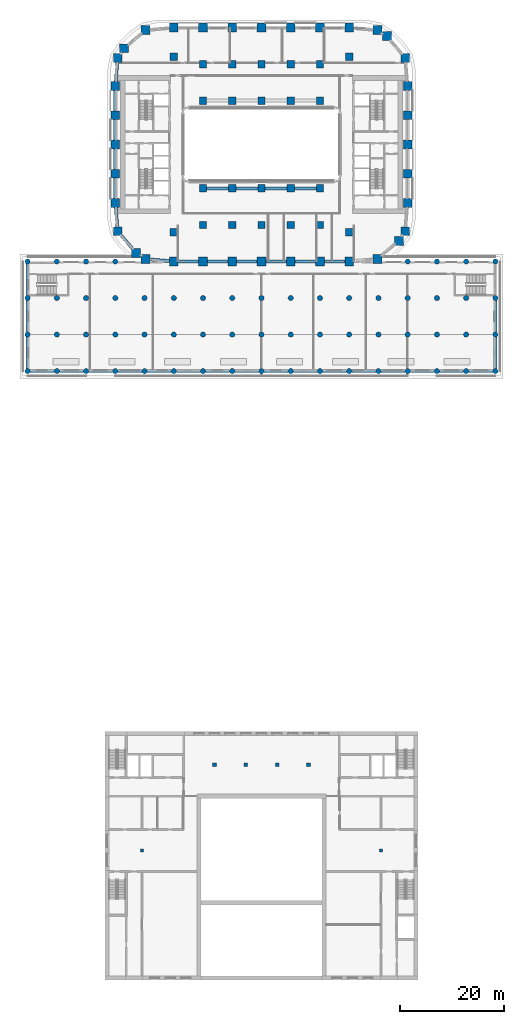
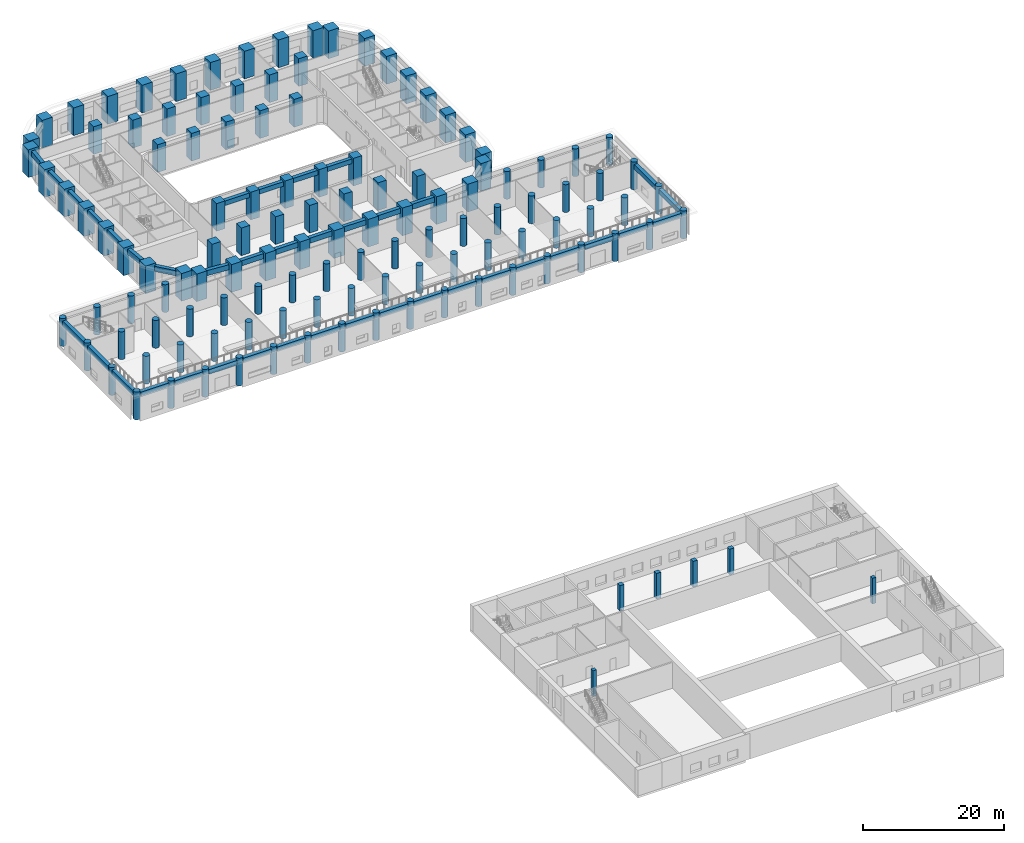
# One storey, part 1 of 23: 125 columns, 39 beams.
"""IFC4 building model written with IfcOpenShell, lengths in metres."""

from ifc_helpers import new_model, si_unit, direction, frame, origin, origin_2d, place, context, subcontext, project, spatial, rectangle, circle, extrude, material, material_profile, profile_set, type_object, element, save


model = new_model("IFC4")

# Units and contexts
model_context = context("Model", 3, precision=1e-05, world=origin(), true_north=direction((0.0, 1.0)))
body_context = subcontext(model_context, "Body", "Model", "MODEL_VIEW")
ifc_project = project(units=[si_unit("LENGTHUNIT", "METRE"), si_unit("AREAUNIT", "SQUARE_METRE"), si_unit("VOLUMEUNIT", "CUBIC_METRE"), si_unit("PLANEANGLEUNIT", "RADIAN"), si_unit("MASSUNIT", "GRAM", prefix="KILO")], contexts=[model_context])

# Site, building, storey
site_placement = place(None, origin())
site = spatial("IfcSite", under=ifc_project, at=site_placement, CompositionType="ELEMENT")
building_placement = place(site_placement, origin())
building = spatial("IfcBuilding", under=site, at=building_placement, Name="Kiln Ring Residences", CompositionType="ELEMENT")
storey_placement = place(building_placement, frame((0.0, 0.0, 16.10009765625)))
storey = spatial("IfcBuildingStorey", under=building, at=storey_placement, Name="L03", CompositionType="ELEMENT", Elevation=16.10009765625)

# Columns
ifc_material_1 = material(Name="Concrete C80/95", Category="concrete")
ifc_material_profile_1 = material_profile(ifc_material_1, rectangle(XDim=1.39990234375, YDim=1.39990234375, at=origin_2d()), Name="RC1400x1400")
ifc_profile_set_1 = profile_set([ifc_material_profile_1], Name="Concrete C80/95")
column_type_1 = type_object("IfcColumnType", Name="Corridor column RC1400x1400 C80/95", PredefinedType="COLUMN", material=ifc_profile_set_1)
for number, where, z_axis, x_axis, name in (
    (1, (-11.199951171875, 15.39990234375, 0.0), (0.0, 0.0, 1.0), (1.0, 0.0, 0.0), "Corridor column L03 1"),
    (2, (-5.60009765625, 15.39990234375, 0.0), (0.0, 0.0, 1.0), (1.0, 0.0, 0.0), "Corridor column L03 2"),
    (3, (0.0, 15.39990234375, 0.0), (0.0, 0.0, 1.0), (1.0, 0.0, 0.0), "Corridor column L03 3"),
    (4, (5.60009765625, 15.39990234375, 0.0), (0.0, 0.0, 1.0), (1.0, 0.0, 0.0), "Corridor column L03 4"),
    (5, (11.199951171875, 15.39990234375, 0.0), (0.0, 0.0, 1.0), (1.0, 0.0, 0.0), "Corridor column L03 5"),
    (6, (-11.199951171875, -15.39990234375, 0.0), (0.0, 0.0, 1.0), (1.0, 0.0, 0.0), "Corridor column L03 6"),
    (7, (-5.60009765625, -15.39990234375, 0.0), (0.0, 0.0, 1.0), (1.0, 0.0, 0.0), "Corridor column L03 7"),
    (8, (0.0, -15.39990234375, 0.0), (0.0, 0.0, 1.0), (1.0, 0.0, 0.0), "Corridor column L03 8"),
    (9, (5.60009765625, -15.39990234375, 0.0), (0.0, 0.0, 1.0), (1.0, 0.0, 0.0), "Corridor column L03 9"),
    (10, (11.199951171875, -15.39990234375, 0.0), (0.0, 0.0, 1.0), (1.0, 0.0, 0.0), "Corridor column L03 10"),
):
    element("IfcColumn", number, at=place(storey_placement, frame(where, z_axis=z_axis, x_axis=x_axis)), inside=storey, type_object=column_type_1, Name=name, PredefinedType="COLUMN", context=body_context, shape_type="SweptSolid", body=[
        extrude(rectangle(XDim=1.39990234375, YDim=1.39990234375, at=origin_2d()), origin(), (0.0, 0.0, 1.0), 4.7998046875),
    ])
ifc_material_2 = material(Name="Concrete C40/50", Category="concrete")
ifc_material_profile_2 = material_profile(ifc_material_2, rectangle(XDim=0.60009765625, YDim=0.60009765625, at=origin_2d()), Name="Hall reinforced concrete column 600 x 600")
ifc_profile_set_2 = profile_set([ifc_material_profile_2], Name="Concrete C40/50")
column_type_2 = type_object("IfcColumnType", Name="Hall reinforced concrete column 600 x 600", PredefinedType="COLUMN", material=ifc_profile_set_2)
for number, where, z_axis, x_axis, name in (
    (11, (-22.89990234375, -135.199951171875, 0.0), (0.0, 0.0, 1.0), (1.0, 0.0, 0.0), "Hall column L03 5"),
    (12, (22.89990234375, -135.199951171875, 0.0), (0.0, 0.0, 1.0), (1.0, 0.0, 0.0), "Hall column L03 6"),
):
    element("IfcColumn", number, at=place(storey_placement, frame(where, z_axis=z_axis, x_axis=x_axis)), inside=storey, type_object=column_type_2, Name=name, PredefinedType="COLUMN", context=body_context, shape_type="SweptSolid", body=[
        extrude(rectangle(XDim=0.60009765625, YDim=0.60009765625, at=origin_2d()), origin(), (0.0, 0.0, 1.0), 4.449951171875),
    ])
ifc_material_3 = material(Name="Concrete C40/50", Category="concrete")
ifc_material_profile_3 = material_profile(ifc_material_3, rectangle(XDim=0.699951171875, YDim=0.699951171875, at=origin_2d()), Name="Hall reinforced concrete column 700 x 700")
ifc_profile_set_3 = profile_set([ifc_material_profile_3], Name="Concrete C40/50")
column_type_3 = type_object("IfcColumnType", Name="Hall reinforced concrete column 700 x 700", PredefinedType="COLUMN", material=ifc_profile_set_3)
for number, where, z_axis, x_axis, name in (
    (13, (-9.0, -118.800048828125, 0.0), (0.0, 0.0, 1.0), (1.0, 0.0, 0.0), "Hall column L03 1"),
    (14, (-3.0, -118.800048828125, 0.0), (0.0, 0.0, 1.0), (1.0, 0.0, 0.0), "Hall column L03 2"),
    (15, (3.0, -118.800048828125, 0.0), (0.0, 0.0, 1.0), (1.0, 0.0, 0.0), "Hall column L03 3"),
    (16, (9.0, -118.800048828125, 0.0), (0.0, 0.0, 1.0), (1.0, 0.0, 0.0), "Hall column L03 4"),
):
    element("IfcColumn", number, at=place(storey_placement, frame(where, z_axis=z_axis, x_axis=x_axis)), inside=storey, type_object=column_type_3, Name=name, PredefinedType="COLUMN", context=body_context, shape_type="SweptSolid", body=[
        extrude(rectangle(XDim=0.699951171875, YDim=0.699951171875, at=origin_2d()), origin(), (0.0, 0.0, 1.0), 4.449951171875),
    ])
ifc_material_4 = material(Name="Concrete C80/95", Category="concrete")
ifc_material_profile_4 = material_profile(ifc_material_4, rectangle(XDim=1.699951171875, YDim=1.699951171875, at=origin_2d()), Name="RC1700x1700")
ifc_profile_set_4 = profile_set([ifc_material_profile_4], Name="Concrete C80/95")
column_type_4 = type_object("IfcColumnType", Name="Perimeter column RC1700x1700 C80/95", PredefinedType="COLUMN", material=ifc_profile_set_4)
for number, where, z_axis, x_axis, name in (
    (17, (-22.208740234375, -21.93798828125, 0.0), (0.0, 0.0, 1.0), (1.0, 0.0, 0.0), "Perimeter column L03 1"),
    (18, (-16.800048828125, -22.39990234375, 0.0), (0.0, 0.0, 1.0), (1.0, 0.0, 0.0), "Perimeter column L03 2"),
    (19, (-11.199951171875, -22.39990234375, 0.0), (0.0, 0.0, 1.0), (1.0, 0.0, 0.0), "Perimeter column L03 3"),
    (20, (-5.60009765625, -22.39990234375, 0.0), (0.0, 0.0, 1.0), (1.0, 0.0, 0.0), "Perimeter column L03 4"),
    (21, (0.0, -22.39990234375, 0.0), (0.0, 0.0, 1.0), (1.0, 0.0, 0.0), "Perimeter column L03 5"),
    (22, (5.60009765625, -22.39990234375, 0.0), (0.0, 0.0, 1.0), (1.0, 0.0, 0.0), "Perimeter column L03 6"),
    (23, (11.199951171875, -22.39990234375, 0.0), (0.0, 0.0, 1.0), (1.0, 0.0, 0.0), "Perimeter column L03 7"),
    (24, (16.800048828125, -22.39990234375, 0.0), (0.0, 0.0, 1.0), (1.0, 0.0, 0.0), "Perimeter column L03 8"),
    (25, (22.208740234375, -21.93798828125, 0.0), (0.0, 0.0, 1.0), (1.0, 0.0, 0.0), "Perimeter column L03 9"),
    (26, (26.35986328125, -18.440185546875, 0.0), (0.0, 0.0, 1.0), (1.0, 0.0, 0.0), "Perimeter column L03 10"),
    (27, (27.5380859375, -16.608642578125, 0.0), (0.0, 0.0, 1.0), (1.0, 0.0, 0.0), "Perimeter column L03 11"),
    (28, (28.0, -11.199951171875, 0.0), (0.0, 0.0, 1.0), (1.0, 0.0, 0.0), "Perimeter column L03 12"),
    (29, (28.0, -5.60009765625, 0.0), (0.0, 0.0, 1.0), (1.0, 0.0, 0.0), "Perimeter column L03 13"),
    (30, (28.0, 0.0, 0.0), (0.0, 0.0, 1.0), (1.0, 0.0, 0.0), "Perimeter column L03 14"),
    (31, (28.0, 5.60009765625, 0.0), (0.0, 0.0, 1.0), (1.0, 0.0, 0.0), "Perimeter column L03 15"),
    (32, (28.0, 11.199951171875, 0.0), (0.0, 0.0, 1.0), (1.0, 0.0, 0.0), "Perimeter column L03 16"),
    (33, (27.5380859375, 16.608642578125, 0.0), (0.0, 0.0, 1.0), (1.0, 0.0, 0.0), "Perimeter column L03 17"),
    (34, (24.040283203125, 20.759765625, 0.0), (0.0, 0.0, 1.0), (1.0, 0.0, 0.0), "Perimeter column L03 18"),
    (35, (22.208740234375, 21.93798828125, 0.0), (0.0, 0.0, 1.0), (1.0, 0.0, 0.0), "Perimeter column L03 19"),
    (36, (16.800048828125, 22.39990234375, 0.0), (0.0, 0.0, 1.0), (1.0, 0.0, 0.0), "Perimeter column L03 20"),
    (37, (11.199951171875, 22.39990234375, 0.0), (0.0, 0.0, 1.0), (1.0, 0.0, 0.0), "Perimeter column L03 21"),
    (38, (5.60009765625, 22.39990234375, 0.0), (0.0, 0.0, 1.0), (1.0, 0.0, 0.0), "Perimeter column L03 22"),
    (39, (0.0, 22.39990234375, 0.0), (0.0, 0.0, 1.0), (1.0, 0.0, 0.0), "Perimeter column L03 23"),
    (40, (-5.60009765625, 22.39990234375, 0.0), (0.0, 0.0, 1.0), (1.0, 0.0, 0.0), "Perimeter column L03 24"),
    (41, (-11.199951171875, 22.39990234375, 0.0), (0.0, 0.0, 1.0), (1.0, 0.0, 0.0), "Perimeter column L03 25"),
    (42, (-16.800048828125, 22.39990234375, 0.0), (0.0, 0.0, 1.0), (1.0, 0.0, 0.0), "Perimeter column L03 26"),
    (43, (-22.208740234375, 21.93798828125, 0.0), (0.0, 0.0, 1.0), (1.0, 0.0, 0.0), "Perimeter column L03 27"),
    (44, (-26.35986328125, 18.440185546875, 0.0), (0.0, 0.0, 1.0), (1.0, 0.0, 0.0), "Perimeter column L03 28"),
    (45, (-27.5380859375, 16.608642578125, 0.0), (0.0, 0.0, 1.0), (1.0, 0.0, 0.0), "Perimeter column L03 29"),
    (46, (-28.0, 11.199951171875, 0.0), (0.0, 0.0, 1.0), (1.0, 0.0, 0.0), "Perimeter column L03 30"),
    (47, (-28.0, 5.60009765625, 0.0), (0.0, 0.0, 1.0), (1.0, 0.0, 0.0), "Perimeter column L03 31"),
    (48, (-28.0, 0.0, 0.0), (0.0, 0.0, 1.0), (1.0, 0.0, 0.0), "Perimeter column L03 32"),
    (49, (-28.0, -5.60009765625, 0.0), (0.0, 0.0, 1.0), (1.0, 0.0, 0.0), "Perimeter column L03 33"),
    (50, (-28.0, -11.199951171875, 0.0), (0.0, 0.0, 1.0), (1.0, 0.0, 0.0), "Perimeter column L03 34"),
    (51, (-27.5380859375, -16.608642578125, 0.0), (0.0, 0.0, 1.0), (1.0, 0.0, 0.0), "Perimeter column L03 35"),
    (52, (-24.040283203125, -20.759765625, 0.0), (0.0, 0.0, 1.0), (1.0, 0.0, 0.0), "Perimeter column L03 36"),
):
    element("IfcColumn", number, at=place(storey_placement, frame(where, z_axis=z_axis, x_axis=x_axis)), inside=storey, type_object=column_type_4, Name=name, PredefinedType="COLUMN", context=body_context, shape_type="SweptSolid", body=[
        extrude(rectangle(XDim=1.699951171875, YDim=1.699951171875, at=origin_2d()), origin(), (0.0, 0.0, 1.0), 4.7998046875),
    ])
ifc_material_5 = material(Name="Concrete C80/95", Category="concrete")
ifc_material_profile_5 = material_profile(ifc_material_5, circle(Radius=0.5, at=origin_2d()), Name="RCD1000")
ifc_profile_set_5 = profile_set([ifc_material_profile_5], Name="Concrete C80/95")
column_type_5 = type_object("IfcColumnType", Name="Podium column RCD1000 C80/95", PredefinedType="COLUMN", material=ifc_profile_set_5)
for number, where, z_axis, x_axis, name in (
    (53, (-44.800048828125, -29.39990234375, 0.0), (0.0, 0.0, 1.0), (1.0, 0.0, 0.0), "Podium column L03 1"),
    (54, (-39.199951171875, -29.39990234375, 0.0), (0.0, 0.0, 1.0), (1.0, 0.0, 0.0), "Podium column L03 2"),
    (55, (-33.60009765625, -29.39990234375, 0.0), (0.0, 0.0, 1.0), (1.0, 0.0, 0.0), "Podium column L03 3"),
    (56, (-28.0, -29.39990234375, 0.0), (0.0, 0.0, 1.0), (1.0, 0.0, 0.0), "Podium column L03 4"),
    (57, (-22.39990234375, -29.39990234375, 0.0), (0.0, 0.0, 1.0), (1.0, 0.0, 0.0), "Podium column L03 5"),
    (58, (-16.800048828125, -29.39990234375, 0.0), (0.0, 0.0, 1.0), (1.0, 0.0, 0.0), "Podium column L03 6"),
    (59, (-11.199951171875, -29.39990234375, 0.0), (0.0, 0.0, 1.0), (1.0, 0.0, 0.0), "Podium column L03 7"),
    (60, (-5.60009765625, -29.39990234375, 0.0), (0.0, 0.0, 1.0), (1.0, 0.0, 0.0), "Podium column L03 8"),
    (61, (0.0, -29.39990234375, 0.0), (0.0, 0.0, 1.0), (1.0, 0.0, 0.0), "Podium column L03 9"),
    (62, (5.60009765625, -29.39990234375, 0.0), (0.0, 0.0, 1.0), (1.0, 0.0, 0.0), "Podium column L03 10"),
    (63, (11.199951171875, -29.39990234375, 0.0), (0.0, 0.0, 1.0), (1.0, 0.0, 0.0), "Podium column L03 11"),
    (64, (16.800048828125, -29.39990234375, 0.0), (0.0, 0.0, 1.0), (1.0, 0.0, 0.0), "Podium column L03 12"),
    (65, (22.39990234375, -29.39990234375, 0.0), (0.0, 0.0, 1.0), (1.0, 0.0, 0.0), "Podium column L03 13"),
    (66, (28.0, -29.39990234375, 0.0), (0.0, 0.0, 1.0), (1.0, 0.0, 0.0), "Podium column L03 14"),
    (67, (33.60009765625, -29.39990234375, 0.0), (0.0, 0.0, 1.0), (1.0, 0.0, 0.0), "Podium column L03 15"),
    (68, (39.199951171875, -29.39990234375, 0.0), (0.0, 0.0, 1.0), (1.0, 0.0, 0.0), "Podium column L03 16"),
    (69, (44.800048828125, -29.39990234375, 0.0), (0.0, 0.0, 1.0), (1.0, 0.0, 0.0), "Podium column L03 17"),
    (70, (-44.800048828125, -36.39990234375, 0.0), (0.0, 0.0, 1.0), (1.0, 0.0, 0.0), "Podium column L03 18"),
    (71, (-39.199951171875, -36.39990234375, 0.0), (0.0, 0.0, 1.0), (1.0, 0.0, 0.0), "Podium column L03 19"),
    (72, (-33.60009765625, -36.39990234375, 0.0), (0.0, 0.0, 1.0), (1.0, 0.0, 0.0), "Podium column L03 20"),
    (73, (-28.0, -36.39990234375, 0.0), (0.0, 0.0, 1.0), (1.0, 0.0, 0.0), "Podium column L03 21"),
    (74, (-22.39990234375, -36.39990234375, 0.0), (0.0, 0.0, 1.0), (1.0, 0.0, 0.0), "Podium column L03 22"),
    (75, (-16.800048828125, -36.39990234375, 0.0), (0.0, 0.0, 1.0), (1.0, 0.0, 0.0), "Podium column L03 23"),
    (76, (-11.199951171875, -36.39990234375, 0.0), (0.0, 0.0, 1.0), (1.0, 0.0, 0.0), "Podium column L03 24"),
    (77, (-5.60009765625, -36.39990234375, 0.0), (0.0, 0.0, 1.0), (1.0, 0.0, 0.0), "Podium column L03 25"),
    (78, (0.0, -36.39990234375, 0.0), (0.0, 0.0, 1.0), (1.0, 0.0, 0.0), "Podium column L03 26"),
    (79, (5.60009765625, -36.39990234375, 0.0), (0.0, 0.0, 1.0), (1.0, 0.0, 0.0), "Podium column L03 27"),
    (80, (11.199951171875, -36.39990234375, 0.0), (0.0, 0.0, 1.0), (1.0, 0.0, 0.0), "Podium column L03 28"),
    (81, (16.800048828125, -36.39990234375, 0.0), (0.0, 0.0, 1.0), (1.0, 0.0, 0.0), "Podium column L03 29"),
    (82, (22.39990234375, -36.39990234375, 0.0), (0.0, 0.0, 1.0), (1.0, 0.0, 0.0), "Podium column L03 30"),
    (83, (28.0, -36.39990234375, 0.0), (0.0, 0.0, 1.0), (1.0, 0.0, 0.0), "Podium column L03 31"),
    (84, (33.60009765625, -36.39990234375, 0.0), (0.0, 0.0, 1.0), (1.0, 0.0, 0.0), "Podium column L03 32"),
    (85, (39.199951171875, -36.39990234375, 0.0), (0.0, 0.0, 1.0), (1.0, 0.0, 0.0), "Podium column L03 33"),
    (86, (44.800048828125, -36.39990234375, 0.0), (0.0, 0.0, 1.0), (1.0, 0.0, 0.0), "Podium column L03 34"),
    (87, (-44.800048828125, -43.39990234375, 0.0), (0.0, 0.0, 1.0), (1.0, 0.0, 0.0), "Podium column L03 35"),
    (88, (-39.199951171875, -43.39990234375, 0.0), (0.0, 0.0, 1.0), (1.0, 0.0, 0.0), "Podium column L03 36"),
    (89, (-33.60009765625, -43.39990234375, 0.0), (0.0, 0.0, 1.0), (1.0, 0.0, 0.0), "Podium column L03 37"),
    (90, (-28.0, -43.39990234375, 0.0), (0.0, 0.0, 1.0), (1.0, 0.0, 0.0), "Podium column L03 38"),
    (91, (-22.39990234375, -43.39990234375, 0.0), (0.0, 0.0, 1.0), (1.0, 0.0, 0.0), "Podium column L03 39"),
    (92, (-16.800048828125, -43.39990234375, 0.0), (0.0, 0.0, 1.0), (1.0, 0.0, 0.0), "Podium column L03 40"),
    (93, (-11.199951171875, -43.39990234375, 0.0), (0.0, 0.0, 1.0), (1.0, 0.0, 0.0), "Podium column L03 41"),
    (94, (-5.60009765625, -43.39990234375, 0.0), (0.0, 0.0, 1.0), (1.0, 0.0, 0.0), "Podium column L03 42"),
    (95, (0.0, -43.39990234375, 0.0), (0.0, 0.0, 1.0), (1.0, 0.0, 0.0), "Podium column L03 43"),
    (96, (5.60009765625, -43.39990234375, 0.0), (0.0, 0.0, 1.0), (1.0, 0.0, 0.0), "Podium column L03 44"),
    (97, (11.199951171875, -43.39990234375, 0.0), (0.0, 0.0, 1.0), (1.0, 0.0, 0.0), "Podium column L03 45"),
    (98, (16.800048828125, -43.39990234375, 0.0), (0.0, 0.0, 1.0), (1.0, 0.0, 0.0), "Podium column L03 46"),
    (99, (22.39990234375, -43.39990234375, 0.0), (0.0, 0.0, 1.0), (1.0, 0.0, 0.0), "Podium column L03 47"),
    (100, (28.0, -43.39990234375, 0.0), (0.0, 0.0, 1.0), (1.0, 0.0, 0.0), "Podium column L03 48"),
    (101, (33.60009765625, -43.39990234375, 0.0), (0.0, 0.0, 1.0), (1.0, 0.0, 0.0), "Podium column L03 49"),
    (102, (39.199951171875, -43.39990234375, 0.0), (0.0, 0.0, 1.0), (1.0, 0.0, 0.0), "Podium column L03 50"),
    (103, (44.800048828125, -43.39990234375, 0.0), (0.0, 0.0, 1.0), (1.0, 0.0, 0.0), "Podium column L03 51"),
    (104, (-44.800048828125, -22.39990234375, 0.0), (0.0, 0.0, 1.0), (1.0, 0.0, 0.0), "Podium column L03 52"),
    (105, (-39.199951171875, -22.39990234375, 0.0), (0.0, 0.0, 1.0), (1.0, 0.0, 0.0), "Podium column L03 53"),
    (106, (-33.60009765625, -22.39990234375, 0.0), (0.0, 0.0, 1.0), (1.0, 0.0, 0.0), "Podium column L03 54"),
    (107, (-28.0, -22.39990234375, 0.0), (0.0, 0.0, 1.0), (1.0, 0.0, 0.0), "Podium column L03 55"),
    (108, (28.0, -22.39990234375, 0.0), (0.0, 0.0, 1.0), (1.0, 0.0, 0.0), "Podium column L03 56"),
    (109, (33.60009765625, -22.39990234375, 0.0), (0.0, 0.0, 1.0), (1.0, 0.0, 0.0), "Podium column L03 57"),
    (110, (39.199951171875, -22.39990234375, 0.0), (0.0, 0.0, 1.0), (1.0, 0.0, 0.0), "Podium column L03 58"),
    (111, (44.800048828125, -22.39990234375, 0.0), (0.0, 0.0, 1.0), (1.0, 0.0, 0.0), "Podium column L03 59"),
):
    element("IfcColumn", number, at=place(storey_placement, frame(where, z_axis=z_axis, x_axis=x_axis)), inside=storey, type_object=column_type_5, Name=name, PredefinedType="COLUMN", context=body_context, shape_type="SweptSolid", body=[
        extrude(circle(Radius=0.5, at=origin_2d()), origin(), (0.0, 0.0, 1.0), 4.7998046875),
    ])
ifc_material_6 = material(Name="Concrete C80/95", Category="concrete")
ifc_material_profile_6 = material_profile(ifc_material_6, rectangle(XDim=1.39990234375, YDim=1.39990234375, at=origin_2d()), Name="RC1400x1400")
ifc_profile_set_6 = profile_set([ifc_material_profile_6], Name="Concrete C80/95")
column_type_6 = type_object("IfcColumnType", Name="Ring column RC1400x1400 C80/95", PredefinedType="COLUMN", material=ifc_profile_set_6)
for number, where, z_axis, x_axis, name in (
    (112, (-16.800048828125, -16.800048828125, 0.0), (0.0, 0.0, 1.0), (1.0, 0.0, 0.0), "Ring column L03 1"),
    (113, (-16.800048828125, 16.800048828125, 0.0), (0.0, 0.0, 1.0), (1.0, 0.0, 0.0), "Ring column L03 2"),
    (114, (-11.199951171875, -8.39990234375, 0.0), (0.0, 0.0, 1.0), (1.0, 0.0, 0.0), "Ring column L03 3"),
    (115, (-11.199951171875, 8.39990234375, 0.0), (0.0, 0.0, 1.0), (1.0, 0.0, 0.0), "Ring column L03 4"),
    (116, (-5.60009765625, -8.39990234375, 0.0), (0.0, 0.0, 1.0), (1.0, 0.0, 0.0), "Ring column L03 5"),
    (117, (-5.60009765625, 8.39990234375, 0.0), (0.0, 0.0, 1.0), (1.0, 0.0, 0.0), "Ring column L03 6"),
    (118, (0.0, -8.39990234375, 0.0), (0.0, 0.0, 1.0), (1.0, 0.0, 0.0), "Ring column L03 7"),
    (119, (0.0, 8.39990234375, 0.0), (0.0, 0.0, 1.0), (1.0, 0.0, 0.0), "Ring column L03 8"),
    (120, (5.60009765625, -8.39990234375, 0.0), (0.0, 0.0, 1.0), (1.0, 0.0, 0.0), "Ring column L03 9"),
    (121, (5.60009765625, 8.39990234375, 0.0), (0.0, 0.0, 1.0), (1.0, 0.0, 0.0), "Ring column L03 10"),
    (122, (11.199951171875, -8.39990234375, 0.0), (0.0, 0.0, 1.0), (1.0, 0.0, 0.0), "Ring column L03 11"),
    (123, (11.199951171875, 8.39990234375, 0.0), (0.0, 0.0, 1.0), (1.0, 0.0, 0.0), "Ring column L03 12"),
    (124, (16.800048828125, -16.800048828125, 0.0), (0.0, 0.0, 1.0), (1.0, 0.0, 0.0), "Ring column L03 13"),
    (125, (16.800048828125, 16.800048828125, 0.0), (0.0, 0.0, 1.0), (1.0, 0.0, 0.0), "Ring column L03 14"),
):
    element("IfcColumn", number, at=place(storey_placement, frame(where, z_axis=z_axis, x_axis=x_axis)), inside=storey, type_object=column_type_6, Name=name, PredefinedType="COLUMN", context=body_context, shape_type="SweptSolid", body=[
        extrude(rectangle(XDim=1.39990234375, YDim=1.39990234375, at=origin_2d()), origin(), (0.0, 0.0, 1.0), 4.7998046875),
    ])

# Beams
ifc_material_7 = material(Name="Concrete C50/60", Category="concrete")
ifc_material_profile_7 = material_profile(ifc_material_7, rectangle(XDim=0.60009765625, YDim=0.800048828125, at=origin_2d()), Name="RC600x800")
ifc_profile_set_7 = profile_set([ifc_material_profile_7], Name="Concrete C50/60")
beam_type_1 = type_object("IfcBeamType", Name="Ring beam RC600x800 C50/60", PredefinedType="BEAM", material=ifc_profile_set_7)
beam_1_placement = place(storey_placement, frame((-44.300048828125, -43.39990234375, 4.0498046875), z_axis=(1.0, 0.0, 0.0), x_axis=(0.0, 1.0, 0.0)))
element("IfcBeam", 126, at=beam_1_placement, inside=storey, type_object=beam_type_1, Name="Ring beam L03 1", PredefinedType="BEAM", context=body_context, shape_type="SweptSolid", body=[
    extrude(rectangle(XDim=0.60009765625, YDim=0.800048828125, at=origin_2d()), origin(), (0.0, 0.0, 1.0), 4.60009765625),
])
beam_2_placement = place(storey_placement, frame((-38.699951171875, -43.39990234375, 4.0498046875), z_axis=(1.0, 0.0, 0.0), x_axis=(0.0, 1.0, 0.0)))
element("IfcBeam", 127, at=beam_2_placement, inside=storey, type_object=beam_type_1, Name="Ring beam L03 2", PredefinedType="BEAM", context=body_context, shape_type="SweptSolid", body=[
    extrude(rectangle(XDim=0.60009765625, YDim=0.800048828125, at=origin_2d()), origin(), (0.0, 0.0, 1.0), 4.599853515625),
])
for number, where, z_axis, x_axis, name in (
    (128, (-33.10009765625, -43.39990234375, 4.0498046875), (1.0, 0.0, 0.0), (0.0, 1.0, 0.0), "Ring beam L03 3"),
    (129, (-27.5, -43.39990234375, 4.0498046875), (1.0, 0.0, 0.0), (0.0, 1.0, 0.0), "Ring beam L03 4"),
):
    element("IfcBeam", number, at=place(storey_placement, frame(where, z_axis=z_axis, x_axis=x_axis)), inside=storey, type_object=beam_type_1, Name=name, PredefinedType="BEAM", context=body_context, shape_type="SweptSolid", body=[
        extrude(rectangle(XDim=0.60009765625, YDim=0.800048828125, at=origin_2d()), origin(), (0.0, 0.0, 1.0), 4.60009765625),
    ])
beam_3_placement = place(storey_placement, frame((-21.89990234375, -43.39990234375, 4.0498046875), z_axis=(1.0, 0.0, 0.0), x_axis=(0.0, 1.0, 0.0)))
element("IfcBeam", 130, at=beam_3_placement, inside=storey, type_object=beam_type_1, Name="Ring beam L03 5", PredefinedType="BEAM", context=body_context, shape_type="SweptSolid", body=[
    extrude(rectangle(XDim=0.60009765625, YDim=0.800048828125, at=origin_2d()), origin(), (0.0, 0.0, 1.0), 4.599853515625),
])
beam_4_placement = place(storey_placement, frame((-16.300048828125, -43.39990234375, 4.0498046875), z_axis=(1.0, 0.0, 0.0), x_axis=(0.0, 1.0, 0.0)))
element("IfcBeam", 131, at=beam_4_placement, inside=storey, type_object=beam_type_1, Name="Ring beam L03 6", PredefinedType="BEAM", context=body_context, shape_type="SweptSolid", body=[
    extrude(rectangle(XDim=0.60009765625, YDim=0.800048828125, at=origin_2d()), origin(), (0.0, 0.0, 1.0), 4.60009765625),
])
beam_5_placement = place(storey_placement, frame((-10.699951171875, -43.39990234375, 4.0498046875), z_axis=(1.0, 0.0, 0.0), x_axis=(0.0, 1.0, 0.0)))
element("IfcBeam", 132, at=beam_5_placement, inside=storey, type_object=beam_type_1, Name="Ring beam L03 7", PredefinedType="BEAM", context=body_context, shape_type="SweptSolid", body=[
    extrude(rectangle(XDim=0.60009765625, YDim=0.800048828125, at=origin_2d()), origin(), (0.0, 0.0, 1.0), 4.599853515625),
])
for number, where, z_axis, x_axis, name in (
    (133, (-5.10009765625, -43.39990234375, 4.0498046875), (1.0, 0.0, 0.0), (0.0, 1.0, 0.0), "Ring beam L03 8"),
    (134, (0.5, -43.39990234375, 4.0498046875), (1.0, 0.0, 0.0), (0.0, 1.0, 0.0), "Ring beam L03 9"),
):
    element("IfcBeam", number, at=place(storey_placement, frame(where, z_axis=z_axis, x_axis=x_axis)), inside=storey, type_object=beam_type_1, Name=name, PredefinedType="BEAM", context=body_context, shape_type="SweptSolid", body=[
        extrude(rectangle(XDim=0.60009765625, YDim=0.800048828125, at=origin_2d()), origin(), (0.0, 0.0, 1.0), 4.60009765625),
    ])
beam_6_placement = place(storey_placement, frame((6.10009765625, -43.39990234375, 4.0498046875), z_axis=(1.0, 0.0, 0.0), x_axis=(0.0, 1.0, 0.0)))
element("IfcBeam", 135, at=beam_6_placement, inside=storey, type_object=beam_type_1, Name="Ring beam L03 10", PredefinedType="BEAM", context=body_context, shape_type="SweptSolid", body=[
    extrude(rectangle(XDim=0.60009765625, YDim=0.800048828125, at=origin_2d()), origin(), (0.0, 0.0, 1.0), 4.599853515625),
])
beam_7_placement = place(storey_placement, frame((11.699951171875, -43.39990234375, 4.0498046875), z_axis=(1.0, 0.0, 0.0), x_axis=(0.0, 1.0, 0.0)))
element("IfcBeam", 136, at=beam_7_placement, inside=storey, type_object=beam_type_1, Name="Ring beam L03 11", PredefinedType="BEAM", context=body_context, shape_type="SweptSolid", body=[
    extrude(rectangle(XDim=0.60009765625, YDim=0.800048828125, at=origin_2d()), origin(), (0.0, 0.0, 1.0), 4.60009765625),
])
beam_8_placement = place(storey_placement, frame((17.300048828125, -43.39990234375, 4.0498046875), z_axis=(1.0, 0.0, 0.0), x_axis=(0.0, 1.0, 0.0)))
element("IfcBeam", 137, at=beam_8_placement, inside=storey, type_object=beam_type_1, Name="Ring beam L03 12", PredefinedType="BEAM", context=body_context, shape_type="SweptSolid", body=[
    extrude(rectangle(XDim=0.60009765625, YDim=0.800048828125, at=origin_2d()), origin(), (0.0, 0.0, 1.0), 4.599853515625),
])
for number, where, z_axis, x_axis, name in (
    (138, (22.89990234375, -43.39990234375, 4.0498046875), (1.0, 0.0, 0.0), (0.0, 1.0, 0.0), "Ring beam L03 13"),
    (139, (28.5, -43.39990234375, 4.0498046875), (1.0, 0.0, 0.0), (0.0, 1.0, 0.0), "Ring beam L03 14"),
):
    element("IfcBeam", number, at=place(storey_placement, frame(where, z_axis=z_axis, x_axis=x_axis)), inside=storey, type_object=beam_type_1, Name=name, PredefinedType="BEAM", context=body_context, shape_type="SweptSolid", body=[
        extrude(rectangle(XDim=0.60009765625, YDim=0.800048828125, at=origin_2d()), origin(), (0.0, 0.0, 1.0), 4.60009765625),
    ])
beam_9_placement = place(storey_placement, frame((34.10009765625, -43.39990234375, 4.0498046875), z_axis=(1.0, 0.0, 0.0), x_axis=(0.0, 1.0, 0.0)))
element("IfcBeam", 140, at=beam_9_placement, inside=storey, type_object=beam_type_1, Name="Ring beam L03 15", PredefinedType="BEAM", context=body_context, shape_type="SweptSolid", body=[
    extrude(rectangle(XDim=0.60009765625, YDim=0.800048828125, at=origin_2d()), origin(), (0.0, 0.0, 1.0), 4.599853515625),
])
beam_10_placement = place(storey_placement, frame((39.699951171875, -43.39990234375, 4.0498046875), z_axis=(1.0, 0.0, 0.0), x_axis=(0.0, 1.0, 0.0)))
element("IfcBeam", 141, at=beam_10_placement, inside=storey, type_object=beam_type_1, Name="Ring beam L03 16", PredefinedType="BEAM", context=body_context, shape_type="SweptSolid", body=[
    extrude(rectangle(XDim=0.60009765625, YDim=0.800048828125, at=origin_2d()), origin(), (0.0, 0.0, 1.0), 4.60009765625),
])
for number, where, z_axis, x_axis, name in (
    (142, (-44.800048828125, -22.89990234375, 4.0498046875), (0.0, -1.0, 0.0), (1.0, 0.0, 0.0), "Ring beam L03 17"),
    (143, (-44.800048828125, -29.89990234375, 4.0498046875), (0.0, -1.0, 0.0), (1.0, 0.0, 0.0), "Ring beam L03 18"),
    (144, (-44.800048828125, -36.89990234375, 4.0498046875), (0.0, -1.0, 0.0), (1.0, 0.0, 0.0), "Ring beam L03 19"),
    (145, (44.800048828125, -29.89990234375, 4.0498046875), (0.0, -1.0, 0.0), (1.0, 0.0, 0.0), "Ring beam L03 21"),
    (146, (44.800048828125, -36.89990234375, 4.0498046875), (0.0, -1.0, 0.0), (1.0, 0.0, 0.0), "Ring beam L03 22"),
):
    element("IfcBeam", number, at=place(storey_placement, frame(where, z_axis=z_axis, x_axis=x_axis)), inside=storey, type_object=beam_type_1, Name=name, PredefinedType="BEAM", context=body_context, shape_type="SweptSolid", body=[
        extrude(rectangle(XDim=0.60009765625, YDim=0.800048828125, at=origin_2d()), origin(), (0.0, 0.0, 1.0), 6.0),
    ])
for number, where, z_axis, x_axis, name in (
    (147, (-10.5, -8.39990234375, 4.0498046875), (1.0, 0.0, 0.0), (0.0, 1.0, 0.0), "Ring beam L03 23"),
    (148, (-4.89990234375, -8.39990234375, 4.0498046875), (1.0, 0.0, 0.0), (0.0, 1.0, 0.0), "Ring beam L03 24"),
    (149, (0.699951171875, -8.39990234375, 4.0498046875), (1.0, 0.0, 0.0), (0.0, 1.0, 0.0), "Ring beam L03 25"),
    (150, (6.300048828125, -8.39990234375, 4.0498046875), (1.0, 0.0, 0.0), (0.0, 1.0, 0.0), "Ring beam L03 26"),
):
    element("IfcBeam", number, at=place(storey_placement, frame(where, z_axis=z_axis, x_axis=x_axis)), inside=storey, type_object=beam_type_1, Name=name, PredefinedType="BEAM", context=body_context, shape_type="SweptSolid", body=[
        extrude(rectangle(XDim=0.60009765625, YDim=0.800048828125, at=origin_2d()), origin(), (0.0, 0.0, 1.0), 4.199951171875),
    ])
ifc_material_8 = material(Name="Concrete C50/60", Category="concrete")
ifc_material_profile_8 = material_profile(ifc_material_8, rectangle(XDim=0.60009765625, YDim=0.89990234375, at=origin_2d()), Name="RC600x900")
ifc_profile_set_8 = profile_set([ifc_material_profile_8], Name="Concrete C50/60")
beam_type_2 = type_object("IfcBeamType", Name="Spandrel beam RC600x900 C50/60", PredefinedType="SPANDREL", material=ifc_profile_set_8)
beam_11_placement = place(storey_placement, frame((-21.358642578125, -22.0107421875, 4.0), z_axis=(0.996374977292, -0.08506999839, 0.0), x_axis=(0.08506999839, 0.996374977292, 0.0)))
element("IfcBeam", 151, at=beam_11_placement, inside=storey, type_object=beam_type_2, Name="Spandrel beam L03 1", PredefinedType="SPANDREL", context=body_context, shape_type="SweptSolid", body=[
    extrude(rectangle(XDim=0.60009765625, YDim=0.89990234375, at=origin_2d()), origin(), (0.0, 0.0, 1.0), 3.72216796875),
])
beam_12_placement = place(storey_placement, frame((-15.949951171875, -22.39990234375, 4.0), z_axis=(1.0, 0.0, 0.0), x_axis=(0.0, 1.0, 0.0)))
element("IfcBeam", 152, at=beam_12_placement, inside=storey, type_object=beam_type_2, Name="Spandrel beam L03 2", PredefinedType="SPANDREL", context=body_context, shape_type="SweptSolid", body=[
    extrude(rectangle(XDim=0.60009765625, YDim=0.89990234375, at=origin_2d()), origin(), (0.0, 0.0, 1.0), 3.89990234375),
])
beam_13_placement = place(storey_placement, frame((-10.35009765625, -22.39990234375, 4.0), z_axis=(1.0, 0.0, 0.0), x_axis=(0.0, 1.0, 0.0)))
element("IfcBeam", 153, at=beam_13_placement, inside=storey, type_object=beam_type_2, Name="Spandrel beam L03 3", PredefinedType="SPANDREL", context=body_context, shape_type="SweptSolid", body=[
    extrude(rectangle(XDim=0.60009765625, YDim=0.89990234375, at=origin_2d()), origin(), (0.0, 0.0, 1.0), 3.900146484375),
])
for number, where, z_axis, x_axis, name in (
    (154, (-4.75, -22.39990234375, 4.0), (1.0, 0.0, 0.0), (0.0, 1.0, 0.0), "Spandrel beam L03 4"),
    (155, (0.85009765625, -22.39990234375, 4.0), (1.0, 0.0, 0.0), (0.0, 1.0, 0.0), "Spandrel beam L03 5"),
):
    element("IfcBeam", number, at=place(storey_placement, frame(where, z_axis=z_axis, x_axis=x_axis)), inside=storey, type_object=beam_type_2, Name=name, PredefinedType="SPANDREL", context=body_context, shape_type="SweptSolid", body=[
        extrude(rectangle(XDim=0.60009765625, YDim=0.89990234375, at=origin_2d()), origin(), (0.0, 0.0, 1.0), 3.89990234375),
    ])
beam_14_placement = place(storey_placement, frame((6.449951171875, -22.39990234375, 4.0), z_axis=(1.0, 0.0, 0.0), x_axis=(0.0, 1.0, 0.0)))
element("IfcBeam", 156, at=beam_14_placement, inside=storey, type_object=beam_type_2, Name="Spandrel beam L03 6", PredefinedType="SPANDREL", context=body_context, shape_type="SweptSolid", body=[
    extrude(rectangle(XDim=0.60009765625, YDim=0.89990234375, at=origin_2d()), origin(), (0.0, 0.0, 1.0), 3.900146484375),
])
beam_15_placement = place(storey_placement, frame((12.050048828125, -22.39990234375, 4.0), z_axis=(1.0, 0.0, 0.0), x_axis=(0.0, 1.0, 0.0)))
element("IfcBeam", 157, at=beam_15_placement, inside=storey, type_object=beam_type_2, Name="Spandrel beam L03 7", PredefinedType="SPANDREL", context=body_context, shape_type="SweptSolid", body=[
    extrude(rectangle(XDim=0.60009765625, YDim=0.89990234375, at=origin_2d()), origin(), (0.0, 0.0, 1.0), 3.89990234375),
])
beam_16_placement = place(storey_placement, frame((-27.610595703125, 15.7587890625, 4.0), z_axis=(-0.085135112999, -0.996369415696, 0.0), x_axis=(0.996369415696, -0.085135112999, 0.0)))
element("IfcBeam", 158, at=beam_16_placement, inside=storey, type_object=beam_type_2, Name="Spandrel beam L03 26", PredefinedType="SPANDREL", context=body_context, shape_type="SweptSolid", body=[
    extrude(rectangle(XDim=0.60009765625, YDim=0.89990234375, at=origin_2d()), origin(), (0.0, 0.0, 1.0), 3.72216796875),
])
beam_17_placement = place(storey_placement, frame((-28.0, 10.35009765625, 4.0), z_axis=(0.0, -1.0, 0.0), x_axis=(1.0, 0.0, 0.0)))
element("IfcBeam", 159, at=beam_17_placement, inside=storey, type_object=beam_type_2, Name="Spandrel beam L03 27", PredefinedType="SPANDREL", context=body_context, shape_type="SweptSolid", body=[
    extrude(rectangle(XDim=0.60009765625, YDim=0.89990234375, at=origin_2d()), origin(), (0.0, 0.0, 1.0), 3.900146484375),
])
for number, where, z_axis, x_axis, name in (
    (160, (-28.0, 4.75, 4.0), (0.0, -1.0, 0.0), (1.0, 0.0, 0.0), "Spandrel beam L03 28"),
    (161, (-28.0, -0.85009765625, 4.0), (0.0, -1.0, 0.0), (1.0, 0.0, 0.0), "Spandrel beam L03 29"),
):
    element("IfcBeam", number, at=place(storey_placement, frame(where, z_axis=z_axis, x_axis=x_axis)), inside=storey, type_object=beam_type_2, Name=name, PredefinedType="SPANDREL", context=body_context, shape_type="SweptSolid", body=[
        extrude(rectangle(XDim=0.60009765625, YDim=0.89990234375, at=origin_2d()), origin(), (0.0, 0.0, 1.0), 3.89990234375),
    ])
beam_18_placement = place(storey_placement, frame((-28.0, -6.449951171875, 4.0), z_axis=(0.0, -1.0, 0.0), x_axis=(1.0, 0.0, 0.0)))
element("IfcBeam", 162, at=beam_18_placement, inside=storey, type_object=beam_type_2, Name="Spandrel beam L03 30", PredefinedType="SPANDREL", context=body_context, shape_type="SweptSolid", body=[
    extrude(rectangle(XDim=0.60009765625, YDim=0.89990234375, at=origin_2d()), origin(), (0.0, 0.0, 1.0), 3.900146484375),
])
beam_19_placement = place(storey_placement, frame((-27.927490234375, -12.050048828125, 4.0), z_axis=(0.085135112999, -0.996369415696, 0.0), x_axis=(0.996369415696, 0.085135112999, 0.0)))
element("IfcBeam", 163, at=beam_19_placement, inside=storey, type_object=beam_type_2, Name="Spandrel beam L03 31", PredefinedType="SPANDREL", context=body_context, shape_type="SweptSolid", body=[
    extrude(rectangle(XDim=0.60009765625, YDim=0.89990234375, at=origin_2d()), origin(), (0.0, 0.0, 1.0), 3.72216796875),
])
beam_20_placement = place(storey_placement, frame((-26.82177734375, -17.458740234375, 4.0), z_axis=(0.644370264489, -0.764713647219, 0.0), x_axis=(0.764713647219, 0.644370264489, 0.0)))
element("IfcBeam", 164, at=beam_20_placement, inside=storey, type_object=beam_type_2, Name="Spandrel beam L03 32", PredefinedType="SPANDREL", context=body_context, shape_type="SweptSolid", body=[
    extrude(rectangle(XDim=0.60009765625, YDim=0.89990234375, at=origin_2d()), origin(), (0.0, 0.0, 1.0), 3.205322265625),
])

save(model, "model.ifc")
